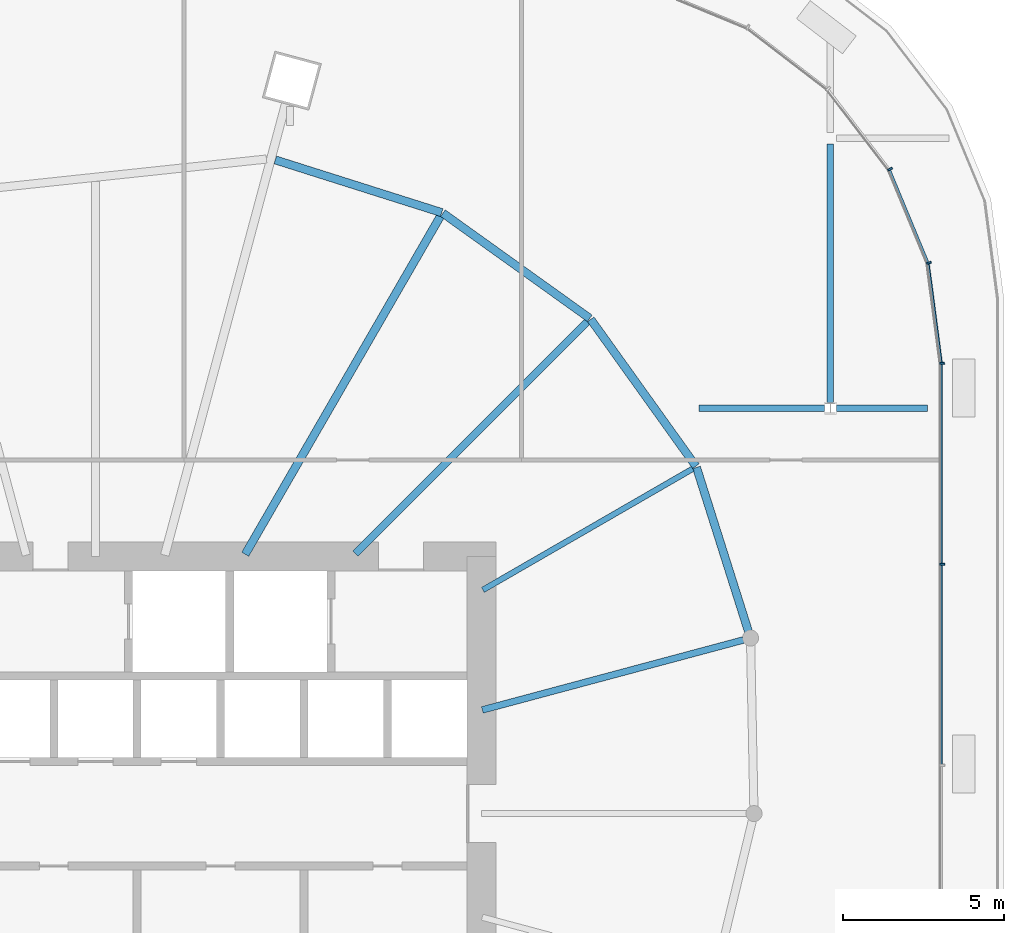
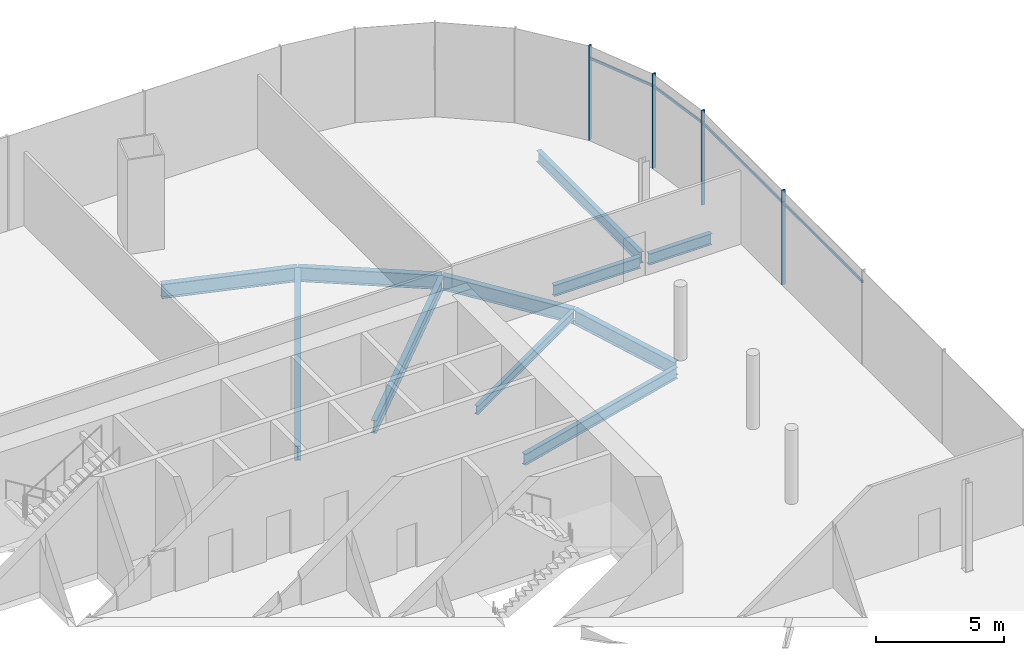
# One storey, part 27 of 49: 11 beams, 8 members, 1 element without a shape of its own.
"""IFC4 building model written with IfcOpenShell, lengths in metres."""

from ifc_helpers import new_model, si_unit, direction, frame, origin, origin_2d, place, context, subcontext, project, spatial, rectangle, i_section, extrude, material, material_profile, profile_set, type_object, element, aggregate, save


model = new_model("IFC4")

# Units and contexts
model_context = context("Model", 3, precision=1e-05, world=origin(), true_north=direction((0.0, 1.0)))
body_context = subcontext(model_context, "Body", "Model", "MODEL_VIEW")
ifc_project = project(units=[si_unit("LENGTHUNIT", "METRE"), si_unit("AREAUNIT", "SQUARE_METRE"), si_unit("VOLUMEUNIT", "CUBIC_METRE"), si_unit("PLANEANGLEUNIT", "RADIAN"), si_unit("MASSUNIT", "GRAM", prefix="KILO")], contexts=[model_context])

# Site, building, storey
site_placement = place(None, origin())
site = spatial("IfcSite", under=ifc_project, at=site_placement, CompositionType="ELEMENT")
building_placement = place(site_placement, origin())
building = spatial("IfcBuilding", under=site, at=building_placement, Name="Rimbun Link Towers", CompositionType="ELEMENT")
storey_placement = place(building_placement, frame((0.0, 0.0, 25.5)))
storey = spatial("IfcBuildingStorey", under=building, at=storey_placement, Name="L05", CompositionType="ELEMENT", Elevation=25.5)

# Curtain wall, members
ifc_material_1 = material(Name="Aluminium 6063-T6 and low-iron glass", Category="aluminium")
curtain_wall_type = type_object("IfcCurtainWallType", Name="CW3 podium shopfront", PredefinedType="NOTDEFINED", material=ifc_material_1)
curtain_wall_placement = place(storey_placement, origin())
curtain_wall = element("IfcCurtainWall", 1, at=curtain_wall_placement, inside=storey, type_object=curtain_wall_type, Name="CW3 L05 PD", PredefinedType="NOTDEFINED")
ifc_material_2 = material(Name="Aluminium 6063-T6", Category="aluminium")
ifc_material_profile_1 = material_profile(ifc_material_2, rectangle(XDim=0.14990234375, YDim=0.06005859375, at=origin_2d()), Name="MULLION 60X150")
ifc_profile_set_1 = profile_set([ifc_material_profile_1], Name="Aluminium 6063-T6")
member_type_1 = type_object("IfcMemberType", Name="CW3 mullion 60X150", PredefinedType="MULLION", material=ifc_profile_set_1)
member_1_placement = place(storey_placement, frame((58.074951171875, 7.75, 0.0), z_axis=(0.0, 0.0, 1.0), x_axis=(1.0, 0.0, 0.0)))
member_1 = element("IfcMember", 2, at=member_1_placement, type_object=member_type_1, Name="CW3 mullion", PredefinedType="MULLION", context=body_context, shape_type="SweptSolid", body=[
    extrude(rectangle(XDim=0.14990234375, YDim=0.06005859375, at=origin_2d()), origin(), (0.0, 0.0, 1.0), 4.5),
])
member_2_placement = place(storey_placement, frame((58.074951171875, 14.0048828125, 0.0), z_axis=(0.0, 0.0, 1.0), x_axis=(0.997858781723, 0.065405288299, 0.0)))
member_2 = element("IfcMember", 3, at=member_2_placement, type_object=member_type_1, Name="CW3 mullion", PredefinedType="MULLION", context=body_context, shape_type="SweptSolid", body=[
    extrude(rectangle(XDim=0.14990234375, YDim=0.06005859375, at=origin_2d()), origin(), (0.0, 0.0, 1.0), 4.5),
])
member_3_placement = place(storey_placement, frame((57.66357421875, 17.125244140625, 0.0), z_axis=(0.0, 0.0, 1.0), x_axis=(0.965925910978, 0.258818729038, 0.0)))
member_3 = element("IfcMember", 4, at=member_3_placement, type_object=member_type_1, Name="CW3 mullion", PredefinedType="MULLION", context=body_context, shape_type="SweptSolid", body=[
    extrude(rectangle(XDim=0.14990234375, YDim=0.06005859375, at=origin_2d()), origin(), (0.0, 0.0, 1.0), 4.5),
])
member_4_placement = place(storey_placement, frame((56.457275390625, 20.03759765625, 0.0), z_axis=(0.0, 0.0, 1.0), x_axis=(0.866029040155, 0.499993701568, 0.0)))
member_4 = element("IfcMember", 5, at=member_4_placement, type_object=member_type_1, Name="CW3 mullion", PredefinedType="MULLION", context=body_context, shape_type="SweptSolid", body=[
    extrude(rectangle(XDim=0.14990234375, YDim=0.06005859375, at=origin_2d()), origin(), (0.0, 0.0, 1.0), 4.5),
])
ifc_material_3 = material(Name="Aluminium 6063-T6", Category="aluminium")
ifc_material_profile_2 = material_profile(ifc_material_3, rectangle(XDim=0.06005859375, YDim=0.1201171875, at=origin_2d()), Name="TRANSOM 60X120")
ifc_profile_set_2 = profile_set([ifc_material_profile_2], Name="Aluminium 6063-T6")
member_type_2 = type_object("IfcMemberType", Name="CW3 transom 60X120", PredefinedType="USERDEFINED", material=ifc_profile_set_2)
member_5_placement = place(storey_placement, frame((58.053955078125, 7.719970703125, 3.89990234375), z_axis=(0.0, -1.0, 0.0), x_axis=(1.0, 0.0, 0.0)))
member_5 = element("IfcMember", 6, at=member_5_placement, type_object=member_type_2, Name="CW3 transom", ObjectType="TRANSOM", PredefinedType="USERDEFINED", context=body_context, shape_type="SweptSolid", body=[
    extrude(rectangle(XDim=0.06005859375, YDim=0.1201171875, at=origin_2d()), origin(), (0.0, 0.0, 1.0), 6.18994140625),
])
member_6_placement = place(storey_placement, frame((58.053955078125, 13.969970703125, 3.89990234375), z_axis=(0.0, -1.0, 0.0), x_axis=(1.0, 0.0, 0.0)))
member_6 = element("IfcMember", 7, at=member_6_placement, type_object=member_type_2, Name="CW3 transom", ObjectType="TRANSOM", PredefinedType="USERDEFINED", context=body_context, shape_type="SweptSolid", body=[
    extrude(rectangle(XDim=0.06005859375, YDim=0.1201171875, at=origin_2d()), origin(), (0.0, 0.0, 1.0), 6.18994140625),
])
member_7_placement = place(storey_placement, frame((57.6484375, 17.0830078125, 3.89990234375), z_axis=(0.130555231638, -0.991441037829, 0.0), x_axis=(0.991441037829, 0.130555231638, 0.0)))
member_7 = element("IfcMember", 8, at=member_7_placement, type_object=member_type_2, Name="CW3 transom", ObjectType="TRANSOM", PredefinedType="USERDEFINED", context=body_context, shape_type="SweptSolid", body=[
    extrude(rectangle(XDim=0.06005859375, YDim=0.1201171875, at=origin_2d()), origin(), (0.0, 0.0, 1.0), 3.072509765625),
])
member_8_placement = place(storey_placement, frame((56.45361328125, 19.992919921875, 3.89990234375), z_axis=(0.382679289053, -0.923881248716, 0.0), x_axis=(0.923881248716, 0.382679289053, 0.0)))
member_8 = element("IfcMember", 9, at=member_8_placement, type_object=member_type_2, Name="CW3 transom", ObjectType="TRANSOM", PredefinedType="USERDEFINED", context=body_context, shape_type="SweptSolid", body=[
    extrude(rectangle(XDim=0.06005859375, YDim=0.1201171875, at=origin_2d()), origin(), (0.0, 0.0, 1.0), 3.072509765625),
])
aggregate(curtain_wall, [member_1, member_2, member_3, member_4, member_5, member_6, member_7, member_8])

# Beams
ifc_material_4 = material(Name="Steel S355J2", Category="steel")
ifc_material_profile_3 = material_profile(ifc_material_4, i_section(OverallWidth=0.177978515625, OverallDepth=0.406494140625, WebThickness=0.0078125, FlangeThickness=0.0126953125, at=origin_2d()), Name="UB 406x178x60")
ifc_profile_set_3 = profile_set([ifc_material_profile_3], Name="Steel S355J2")
beam_type_1 = type_object("IfcBeamType", Name="UB 406x178x60", PredefinedType="BEAM", material=ifc_profile_set_3)
beam_1_placement = place(storey_placement, frame((43.79541015625, 6.954345703125, -0.503173828125), z_axis=(0.866023167905, 0.500003872636, 0.0), x_axis=(-0.500003872636, 0.866023167905, 0.0)))
element("IfcBeam", 10, at=beam_1_placement, inside=storey, type_object=beam_type_1, Name="Radial beam T2 L05 23", PredefinedType="BEAM", context=body_context, shape_type="SweptSolid", body=[
    extrude(i_section(OverallWidth=0.177978515625, OverallDepth=0.406494140625, WebThickness=0.0078125, FlangeThickness=0.0126953125, at=origin_2d()), origin(), (0.0, 0.0, 1.0), 7.53466796875),
])
ifc_material_5 = material(Name="Steel S355J2", Category="steel")
ifc_material_profile_4 = material_profile(ifc_material_5, i_section(OverallWidth=0.209228515625, OverallDepth=0.533203125, WebThickness=0.010009765625, FlangeThickness=0.015625, at=origin_2d()), Name="UB 533x210x92")
ifc_profile_set_4 = profile_set([ifc_material_profile_4], Name="Steel S355J2")
beam_type_2 = type_object("IfcBeamType", Name="UB 533x210x92", PredefinedType="BEAM", material=ifc_profile_set_4)
beam_2_placement = place(storey_placement, frame((43.778076171875, 3.222900390625, -0.56640625), z_axis=(0.965923668539, 0.258827097802, 0.0), x_axis=(-0.258827097802, 0.965923668539, 0.0)))
element("IfcBeam", 11, at=beam_2_placement, inside=storey, type_object=beam_type_2, Name="Radial beam T2 L05 22", PredefinedType="BEAM", context=body_context, shape_type="SweptSolid", body=[
    extrude(i_section(OverallWidth=0.209228515625, OverallDepth=0.533203125, WebThickness=0.010009765625, FlangeThickness=0.015625, at=origin_2d()), origin(), (0.0, 0.0, 1.0), 8.402587890625),
])
beam_3_placement = place(storey_placement, frame((50.5146484375, 12.60009765625, -0.56640625), z_axis=(1.0, 0.0, 0.0), x_axis=(0.0, 1.0, 0.0)))
element("IfcBeam", 12, at=beam_3_placement, inside=storey, type_object=beam_type_2, Name="Grid beam L05 +12.6", PredefinedType="BEAM", context=body_context, shape_type="SweptSolid", body=[
    extrude(i_section(OverallWidth=0.209228515625, OverallDepth=0.533203125, WebThickness=0.010009765625, FlangeThickness=0.015625, at=origin_2d()), origin(), (0.0, 0.0, 1.0), 3.900146484375),
])
beam_4_placement = place(storey_placement, frame((54.785400390625, 12.60009765625, -0.56640625), z_axis=(1.0, 0.0, 0.0), x_axis=(0.0, 1.0, 0.0)))
element("IfcBeam", 13, at=beam_4_placement, inside=storey, type_object=beam_type_2, Name="Grid beam L05 +12.6", PredefinedType="BEAM", context=body_context, shape_type="SweptSolid", body=[
    extrude(i_section(OverallWidth=0.209228515625, OverallDepth=0.533203125, WebThickness=0.010009765625, FlangeThickness=0.015625, at=origin_2d()), origin(), (0.0, 0.0, 1.0), 2.8291015625),
])
beam_5_placement = place(storey_placement, frame((54.60009765625, 12.781005859375, -0.56640625), z_axis=(0.0, 1.0, 0.0), x_axis=(-1.0, 0.0, 0.0)))
element("IfcBeam", 14, at=beam_5_placement, inside=storey, type_object=beam_type_2, Name="Grid beam L05 +54.6", PredefinedType="BEAM", context=body_context, shape_type="SweptSolid", body=[
    extrude(i_section(OverallWidth=0.209228515625, OverallDepth=0.533203125, WebThickness=0.010009765625, FlangeThickness=0.015625, at=origin_2d()), origin(), (0.0, 0.0, 1.0), 8.0380859375),
])
ifc_material_6 = material(Name="Steel S355J2", Category="steel")
ifc_material_profile_5 = material_profile(ifc_material_6, i_section(OverallWidth=0.2275390625, OverallDepth=0.6025390625, WebThickness=0.010498046875, FlangeThickness=0.014892578125, at=origin_2d()), Name="UB 610x229x101")
ifc_profile_set_5 = profile_set([ifc_material_profile_5], Name="Steel S355J2")
beam_type_3 = type_object("IfcBeamType", Name="UB 610x229x101", PredefinedType="BEAM", material=ifc_profile_set_5)
beam_6_placement = place(storey_placement, frame((39.831298828125, 8.081298828125, -0.601318359375), z_axis=(0.707106781187, 0.707106781187, 0.0), x_axis=(-0.707106781187, 0.707106781187, 0.0)))
element("IfcBeam", 15, at=beam_6_placement, inside=storey, type_object=beam_type_3, Name="Radial beam T2 L05 00", PredefinedType="BEAM", context=body_context, shape_type="SweptSolid", body=[
    extrude(i_section(OverallWidth=0.2275390625, OverallDepth=0.6025390625, WebThickness=0.010498046875, FlangeThickness=0.014892578125, at=origin_2d()), origin(), (0.0, 0.0, 1.0), 10.20263671875),
])
ifc_material_7 = material(Name="Steel S355J2", Category="steel")
ifc_material_profile_6 = material_profile(ifc_material_7, i_section(OverallWidth=0.253662109375, OverallDepth=0.68359375, WebThickness=0.012451171875, FlangeThickness=0.01904296875, at=origin_2d()), Name="UB 686x254x140")
ifc_profile_set_6 = profile_set([ifc_material_profile_6], Name="Steel S355J2")
beam_type_4 = type_object("IfcBeamType", Name="UB 686x254x140", PredefinedType="BEAM", material=ifc_profile_set_6)
beam_7_placement = place(storey_placement, frame((36.406005859375, 8.064208984375, -0.641845703125), z_axis=(0.499989563208, 0.866031429385, 0.0), x_axis=(-0.866031429385, 0.499989563208, 0.0)))
element("IfcBeam", 16, at=beam_7_placement, inside=storey, type_object=beam_type_4, Name="Radial beam T2 L05 01", PredefinedType="BEAM", context=body_context, shape_type="SweptSolid", body=[
    extrude(i_section(OverallWidth=0.253662109375, OverallDepth=0.68359375, WebThickness=0.012451171875, FlangeThickness=0.01904296875, at=origin_2d()), origin(), (0.0, 0.0, 1.0), 12.131591796875),
])
beam_8_placement = place(storey_placement, frame((47.118408203125, 15.39892578125, -0.641845703125), z_axis=(-0.81295433095, 0.582327447223, 0.0), x_axis=(-0.582327447223, -0.81295433095, 0.0)))
element("IfcBeam", 17, at=beam_8_placement, inside=storey, type_object=beam_type_4, Name="Edge beam T2 L05 00", PredefinedType="BEAM", context=body_context, shape_type="SweptSolid", body=[
    extrude(i_section(OverallWidth=0.253662109375, OverallDepth=0.68359375, WebThickness=0.012451171875, FlangeThickness=0.01904296875, at=origin_2d()), origin(), (0.0, 0.0, 1.0), 5.615966796875),
])
beam_9_placement = place(storey_placement, frame((42.515625, 18.687744140625, -0.641845703125), z_axis=(-0.953347835156, 0.301873988947, 0.0), x_axis=(-0.301873988947, -0.953347835156, 0.0)))
element("IfcBeam", 18, at=beam_9_placement, inside=storey, type_object=beam_type_4, Name="Edge beam T2 L05 01", PredefinedType="BEAM", context=body_context, shape_type="SweptSolid", body=[
    extrude(i_section(OverallWidth=0.253662109375, OverallDepth=0.68359375, WebThickness=0.012451171875, FlangeThickness=0.01904296875, at=origin_2d()), origin(), (0.0, 0.0, 1.0), 5.427490234375),
])
beam_10_placement = place(storey_placement, frame((52.052001953125, 5.66796875, -0.641845703125), z_axis=(-0.301891704694, 0.953342225351, 0.0), x_axis=(-0.953342225351, -0.301891704694, 0.0)))
element("IfcBeam", 19, at=beam_10_placement, inside=storey, type_object=beam_type_4, Name="Edge beam T2 L05 22", PredefinedType="BEAM", context=body_context, shape_type="SweptSolid", body=[
    extrude(i_section(OverallWidth=0.253662109375, OverallDepth=0.68359375, WebThickness=0.012451171875, FlangeThickness=0.01904296875, at=origin_2d()), origin(), (0.0, 0.0, 1.0), 5.34716796875),
])
beam_11_placement = place(storey_placement, frame((50.419189453125, 10.802978515625, -0.641845703125), z_axis=(-0.582327447223, 0.81295433095, 0.0), x_axis=(-0.81295433095, -0.582327447223, 0.0)))
element("IfcBeam", 20, at=beam_11_placement, inside=storey, type_object=beam_type_4, Name="Edge beam T2 L05 23", PredefinedType="BEAM", context=body_context, shape_type="SweptSolid", body=[
    extrude(i_section(OverallWidth=0.253662109375, OverallDepth=0.68359375, WebThickness=0.012451171875, FlangeThickness=0.01904296875, at=origin_2d()), origin(), (0.0, 0.0, 1.0), 5.615966796875),
])

save(model, "model.ifc")
